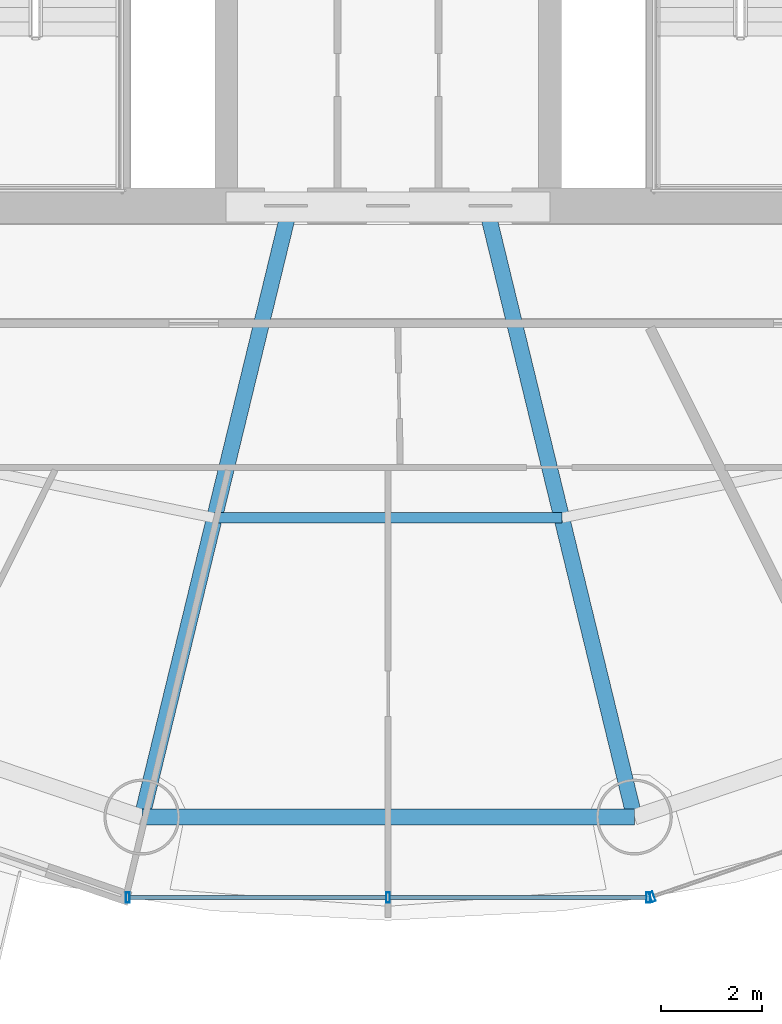
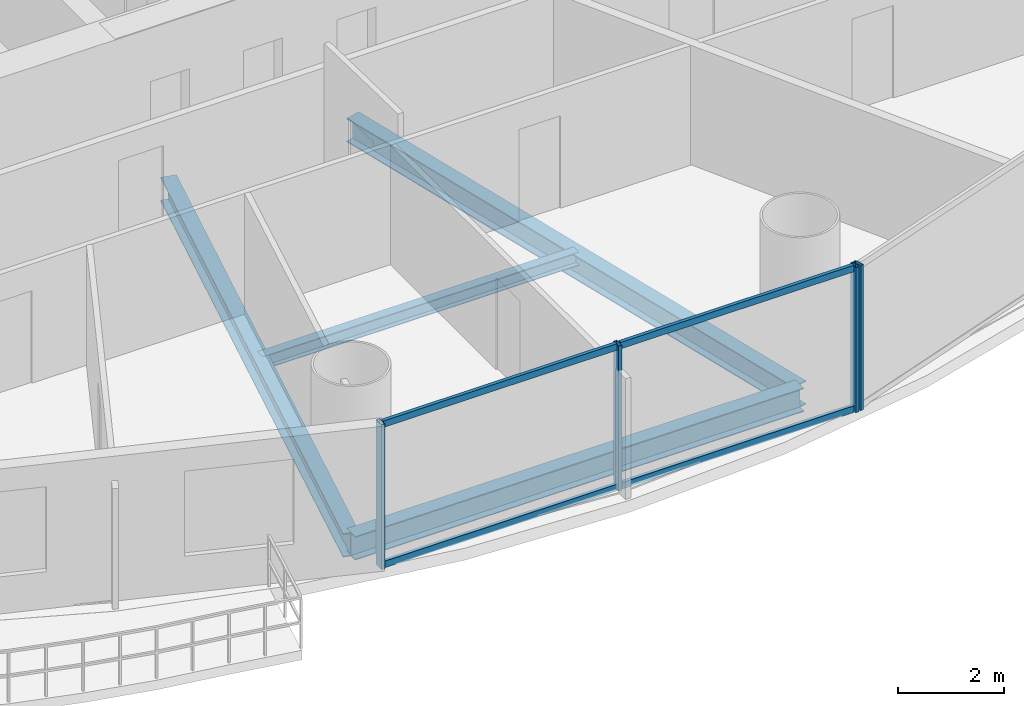
# One storey, part 4 of 28: 8 members, 4 beams, 2 elements without a shape of their own.
"""IFC4 building model written with IfcOpenShell, lengths in metres."""

from ifc_helpers import new_model, si_unit, direction, frame, origin, origin_2d, place, context, subcontext, project, spatial, hollow_rectangle, i_section, extrude, source, transform, mapped, material, material_profile, profile_set, type_object, element, aggregate, save


model = new_model("IFC4")

# Units and contexts
model_context = context("Model", 3, precision=1e-05, world=origin(), true_north=direction((-0.2419218956, 0.970295726276)))
body_context = subcontext(model_context, "Body", "Model", "MODEL_VIEW")
ifc_project = project(units=[si_unit("LENGTHUNIT", "METRE"), si_unit("AREAUNIT", "SQUARE_METRE"), si_unit("VOLUMEUNIT", "CUBIC_METRE"), si_unit("PLANEANGLEUNIT", "RADIAN"), si_unit("MASSUNIT", "GRAM", prefix="KILO")], contexts=[model_context])

# Site, building, storey
site_placement = place(None, origin())
site = spatial("IfcSite", under=ifc_project, at=site_placement, CompositionType="ELEMENT")
building_placement = place(site_placement, origin())
building = spatial("IfcBuilding", under=site, at=building_placement, Name="Cobrevalo Terracotta Tower", CompositionType="ELEMENT")
storey_placement = place(building_placement, frame((0.0, 0.0, 108.60009765625)))
storey = spatial("IfcBuildingStorey", under=building, at=storey_placement, Name="L28", CompositionType="ELEMENT", Elevation=108.60009765625)

# Beams
ifc_material_1 = material(Name="Steel S355", Category="steel")
ifc_material_profile_1 = material_profile(ifc_material_1, i_section(OverallWidth=0.31201171875, OverallDepth=0.54296875, WebThickness=0.0126953125, FlangeThickness=0.020263671875, at=origin_2d()), Name="W 530x150")
ifc_profile_set_1 = profile_set([ifc_material_profile_1], Name="Steel S355")
beam_type_1 = type_object("IfcBeamType", Name="Structural Beam W 530x150 (Steel S355)", PredefinedType="BEAM", material=ifc_profile_set_1)
for number, where, z_axis, x_axis, name in (
    (1, (33.132568359375, 6.742919921875, -0.546630859375), (0.235827379387, 0.971794961467, 0.0), (-0.971794961467, 0.235827379387, 0.0), "L28 radial floor girder 12"),
    (2, (42.867431640625, 6.742919921875, -0.546630859375), (-0.235827379387, 0.971794961467, 0.0), (-0.971794961467, -0.235827379387, 0.0), "L28 radial floor girder 13"),
):
    element("IfcBeam", number, at=place(storey_placement, frame(where, z_axis=z_axis, x_axis=x_axis)), inside=storey, type_object=beam_type_1, Name=name, PredefinedType="BEAM", context=body_context, shape_type="SweptSolid", body=[
        extrude(i_section(OverallWidth=0.31201171875, OverallDepth=0.54296875, WebThickness=0.0126953125, FlangeThickness=0.020263671875, at=origin_2d()), origin(), (0.0, 0.0, 1.0), 12.17041015625),
    ])
ifc_material_profile_2 = material_profile(ifc_material_1, i_section(OverallWidth=0.2041015625, OverallDepth=0.305908203125, WebThickness=0.008544921875, FlangeThickness=0.0146484375, at=origin_2d()), Name="W 310x67")
ifc_profile_set_2 = profile_set([ifc_material_profile_2], Name="Steel S355")
beam_type_2 = type_object("IfcBeamType", Name="Structural Joist W 310x67 (Steel S355)", PredefinedType="JOIST", material=ifc_profile_set_2)
beam_1_placement = place(storey_placement, frame((34.567626953125, 12.656494140625, -0.427978515625), z_axis=(1.0, 0.0, 0.0), x_axis=(0.0, 1.0, 0.0)))
element("IfcBeam", 3, at=beam_1_placement, inside=storey, type_object=beam_type_2, Name="L28 circumferential secondary floor joist 12", PredefinedType="JOIST", context=body_context, shape_type="SweptSolid", body=[
    extrude(i_section(OverallWidth=0.2041015625, OverallDepth=0.305908203125, WebThickness=0.008544921875, FlangeThickness=0.0146484375, at=origin_2d()), origin(), (0.0, 0.0, 1.0), 6.86474609375),
])
ifc_material_profile_3 = material_profile(ifc_material_1, i_section(OverallWidth=0.31201171875, OverallDepth=0.54296875, WebThickness=0.0126953125, FlangeThickness=0.020263671875, at=origin_2d()), Name="W 530x150")
ifc_profile_set_3 = profile_set([ifc_material_profile_3], Name="Steel S355")
beam_type_3 = type_object("IfcBeamType", Name="Structural Spandrel W 530x150 (Steel S355)", PredefinedType="SPANDREL", material=ifc_profile_set_3)
beam_2_placement = place(storey_placement, frame((33.132568359375, 6.742919921875, -0.546630859375), z_axis=(1.0, 0.0, 0.0), x_axis=(0.0, 1.0, 0.0)))
element("IfcBeam", 4, at=beam_2_placement, inside=storey, type_object=beam_type_3, Name="L28 perimeter ring spandrel 12", PredefinedType="SPANDREL", context=body_context, shape_type="SweptSolid", body=[
    extrude(i_section(OverallWidth=0.31201171875, OverallDepth=0.54296875, WebThickness=0.0126953125, FlangeThickness=0.020263671875, at=origin_2d()), origin(), (0.0, 0.0, 1.0), 9.73486328125),
])

# Curtain wall, members
ifc_material_2 = material(Name="Anodized aluminium", Category="aluminium")
curtain_wall_type = type_object("IfcCurtainWallType", Name="Lower-tower unitised acoustic low-E curtain wall CW-U1", PredefinedType="NOTDEFINED", material=ifc_material_2)
curtain_wall_1_placement = place(storey_placement, origin())
curtain_wall_1 = element("IfcCurtainWall", 5, at=curtain_wall_1_placement, inside=storey, type_object=curtain_wall_type, Name="L28 curtain wall CW-L28-S12", PredefinedType="NOTDEFINED")
ifc_material_profile_4 = material_profile(ifc_material_2, hollow_rectangle(XDim=0.074951171875, YDim=0.199951171875, WallThickness=0.0048828125, at=origin_2d()), Name="CWM 75x200")
ifc_profile_set_4 = profile_set([ifc_material_profile_4], Name="Anodized aluminium")
member_type_1 = type_object("IfcMemberType", Name="Lower/mid tower unitised mullion 75x200", PredefinedType="MULLION", material=ifc_profile_set_4)
shared_shape_1 = source(origin(), body_context, "Body", "SweptSolid", [
    extrude(hollow_rectangle(XDim=0.074951171875, YDim=0.199951171875, WallThickness=0.0048828125, at=origin_2d()), origin(), (0.0, 0.0, 1.0), 3.324951171875),
])
member_1_placement = place(storey_placement, frame((32.8564453125, 5.154052734375, 0.0), z_axis=(0.0, 0.0, 1.0), x_axis=(1.0, 0.0, 0.0)))
member_1 = element("IfcMember", 6, at=member_1_placement, type_object=member_type_1, Name="CW-L28-S12 vertical mullion 01", PredefinedType="MULLION", context=body_context, shape_type="MappedRepresentation", body=[
    mapped(shared_shape_1, transform((0.0, 0.0, 0.0), scale=1.0)),
])
member_2_placement = place(storey_placement, frame((38.0, 5.154052734375, 0.0), z_axis=(0.0, 0.0, 1.0), x_axis=(1.0, 0.0, 0.0)))
member_2 = element("IfcMember", 7, at=member_2_placement, type_object=member_type_1, Name="CW-L28-S12 vertical mullion 02", PredefinedType="MULLION", context=body_context, shape_type="MappedRepresentation", body=[
    mapped(shared_shape_1, transform((0.0, 0.0, 0.0), scale=1.0)),
])
member_3_placement = place(storey_placement, frame((43.1435546875, 5.154052734375, 0.0), z_axis=(0.0, 0.0, 1.0), x_axis=(1.0, 0.0, 0.0)))
member_3 = element("IfcMember", 8, at=member_3_placement, type_object=member_type_1, Name="CW-L28-S12 vertical mullion 03", PredefinedType="MULLION", context=body_context, shape_type="MappedRepresentation", body=[
    mapped(shared_shape_1, transform((0.0, 0.0, 0.0), scale=1.0)),
])

# Curtain wall, member
curtain_wall_2_placement = place(storey_placement, origin())
curtain_wall_2 = element("IfcCurtainWall", 9, at=curtain_wall_2_placement, inside=storey, type_object=curtain_wall_type, Name="L28 curtain wall CW-L28-S13", PredefinedType="NOTDEFINED")
member_4_placement = place(storey_placement, frame((43.221435546875, 5.1669921875, 0.0), z_axis=(0.0, 0.0, 1.0), x_axis=(0.94559809868, 0.325337110968, 0.0)))
member_4 = element("IfcMember", 10, at=member_4_placement, type_object=member_type_1, Name="CW-L28-S13 vertical mullion 01", PredefinedType="MULLION", context=body_context, shape_type="MappedRepresentation", body=[
    mapped(shared_shape_1, transform((0.0, 0.0, 0.0), scale=1.0)),
])
aggregate(curtain_wall_2, [member_4])

# Member
ifc_material_profile_5 = material_profile(ifc_material_2, hollow_rectangle(XDim=0.074951171875, YDim=0.14990234375, WallThickness=0.00439453125, at=origin_2d()), Name="CWT 75x150")
ifc_profile_set_5 = profile_set([ifc_material_profile_5], Name="Anodized aluminium")
member_type_2 = type_object("IfcMemberType", Name="Tower unitised aluminium transom 75x150", PredefinedType="USERDEFINED", material=ifc_profile_set_5)
shared_shape_2 = source(origin(), body_context, "Body", "SweptSolid", [
    extrude(hollow_rectangle(XDim=0.074951171875, YDim=0.14990234375, WallThickness=0.00439453125, at=origin_2d()), origin(), (0.0, 0.0, 1.0), 5.0634765625),
])
member_5_placement = place(storey_placement, frame((32.896484375, 5.154052734375, 0.0498046875), z_axis=(1.0, 0.0, 0.0), x_axis=(0.0, 1.0, 0.0)))
member_5 = element("IfcMember", 11, at=member_5_placement, type_object=member_type_2, Name="CW-L28-S12 transom B01-T1", ObjectType="TRANSOM", PredefinedType="USERDEFINED", context=body_context, shape_type="MappedRepresentation", body=[
    mapped(shared_shape_2, transform((0.0, 0.0, 0.0), scale=1.0)),
])

member_6_placement = place(storey_placement, frame((32.896484375, 5.154052734375, 3.27490234375), z_axis=(1.0, 0.0, 0.0), x_axis=(0.0, 1.0, 0.0)))
member_6 = element("IfcMember", 12, at=member_6_placement, type_object=member_type_2, Name="CW-L28-S12 transom B01-T2", ObjectType="TRANSOM", PredefinedType="USERDEFINED", context=body_context, shape_type="MappedRepresentation", body=[
    mapped(shared_shape_2, transform((0.0, 0.0, 0.0), scale=1.0)),
])

member_7_placement = place(storey_placement, frame((38.0400390625, 5.154052734375, 0.0498046875), z_axis=(1.0, 0.0, 0.0), x_axis=(0.0, 1.0, 0.0)))
member_7 = element("IfcMember", 13, at=member_7_placement, type_object=member_type_2, Name="CW-L28-S12 transom B02-T1", ObjectType="TRANSOM", PredefinedType="USERDEFINED", context=body_context, shape_type="MappedRepresentation", body=[
    mapped(shared_shape_2, transform((0.0, 0.0, 0.0), scale=1.0)),
])

member_8_placement = place(storey_placement, frame((38.0400390625, 5.154052734375, 3.27490234375), z_axis=(1.0, 0.0, 0.0), x_axis=(0.0, 1.0, 0.0)))
member_8 = element("IfcMember", 14, at=member_8_placement, type_object=member_type_2, Name="CW-L28-S12 transom B02-T2", ObjectType="TRANSOM", PredefinedType="USERDEFINED", context=body_context, shape_type="MappedRepresentation", body=[
    mapped(shared_shape_2, transform((0.0, 0.0, 0.0), scale=1.0)),
])

aggregate(curtain_wall_1, [member_1, member_2, member_3, member_5, member_6, member_7, member_8])

save(model, "model.ifc")
